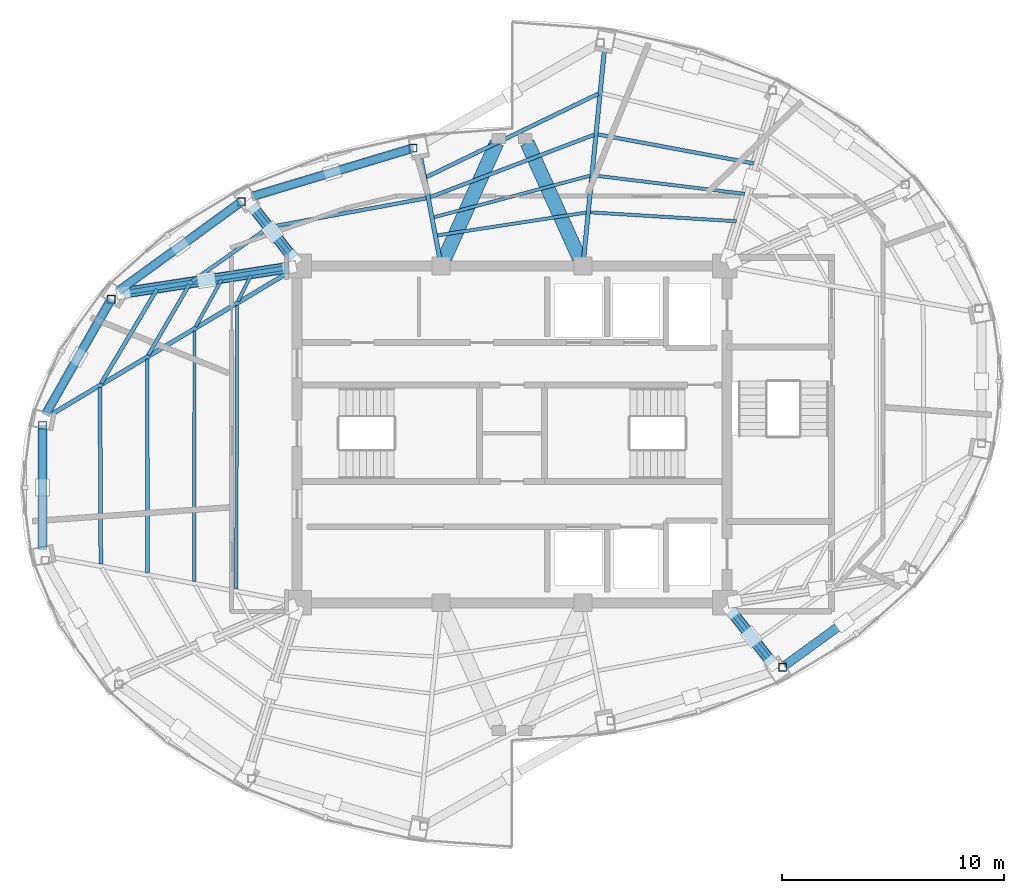
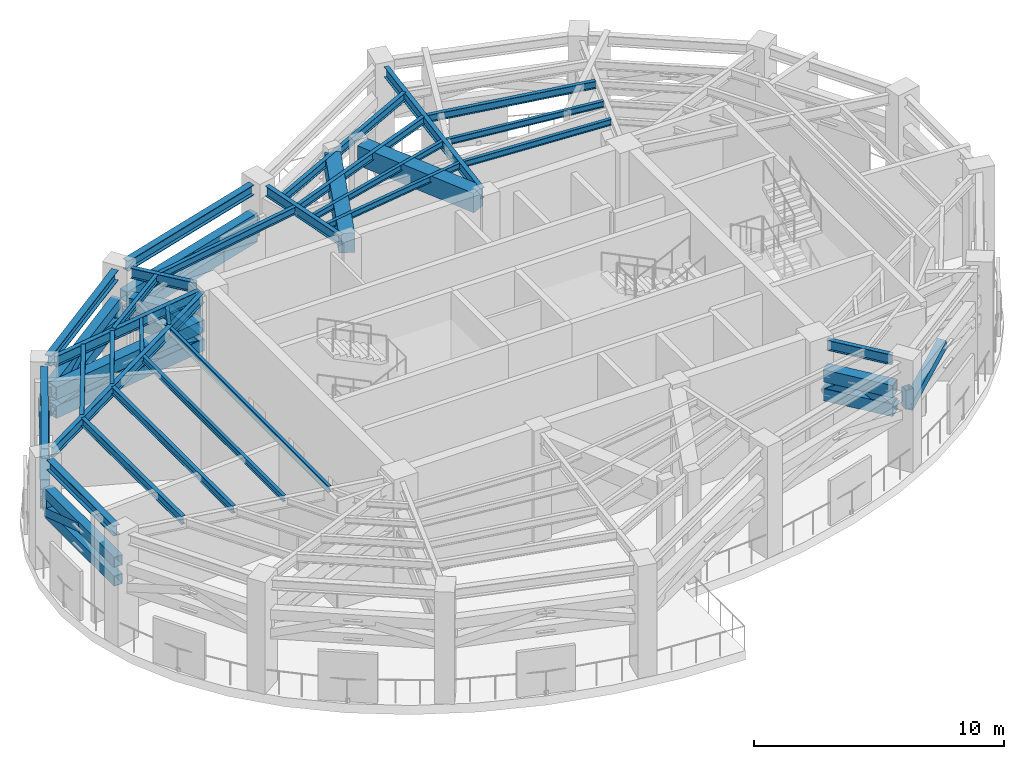
# One storey, part 3 of 12: 33 members, 29 beams.
"""IFC4 building model written with IfcOpenShell, lengths in metres."""

from ifc_helpers import new_model, si_unit, direction, frame, origin, origin_2d, place, context, subcontext, project, spatial, rectangle, hollow_rectangle, i_section, extrude, material, material_profile, profile_set, type_object, element, save


model = new_model("IFC4")

# Units and contexts
model_context = context("Model", 3, precision=1e-05, world=origin(), true_north=direction((0.0, 1.0)))
body_context = subcontext(model_context, "Body", "Model", "MODEL_VIEW")
ifc_project = project(units=[si_unit("LENGTHUNIT", "METRE"), si_unit("AREAUNIT", "SQUARE_METRE"), si_unit("VOLUMEUNIT", "CUBIC_METRE"), si_unit("PLANEANGLEUNIT", "RADIAN"), si_unit("MASSUNIT", "GRAM", prefix="KILO")], contexts=[model_context])

# Site, building, storey
site_placement = place(None, origin())
site = spatial("IfcSite", under=ifc_project, at=site_placement, CompositionType="ELEMENT")
building_placement = place(site_placement, origin())
building = spatial("IfcBuilding", under=site, at=building_placement, Name="Lazwardi Medical Tower", CompositionType="ELEMENT")
storey_placement = place(building_placement, frame((0.0, 0.0, 245.904052734375)))
storey = spatial("IfcBuildingStorey", under=building, at=storey_placement, Name="L64", CompositionType="ELEMENT", Elevation=245.904052734375)

# Beams
ifc_material_1 = material(Name="Concrete C60/75", Category="concrete")
ifc_material_profile_1 = material_profile(ifc_material_1, rectangle(XDim=0.64990234375, YDim=0.949951171875, at=origin_2d()), Name="RC 650x950")
ifc_profile_set_1 = profile_set([ifc_material_profile_1], Name="Concrete C60/75")
beam_type_1 = type_object("IfcBeamType", Name="BM-CB-RC2", PredefinedType="LINTEL", material=ifc_profile_set_1)
for number, where, z_axis, x_axis, name in (
    (1, (32.95849609375, 35.95068359375, 4.796875), (0.412019279944, 0.911175127489, 0.0), (-0.911175127489, 0.412019279944, 0.0), "Core coupling lintel CB-02 PL1 L64"),
    (2, (39.04150390625, 35.95068359375, 4.796875), (-0.412019279944, 0.911175127489, 0.0), (-0.911175127489, -0.412019279944, 0.0), "Core coupling lintel CB-02 PL2 L64"),
):
    element("IfcBeam", number, at=place(storey_placement, frame(where, z_axis=z_axis, x_axis=x_axis)), inside=storey, type_object=beam_type_1, Name=name, PredefinedType="LINTEL", context=body_context, shape_type="SweptSolid", body=[
        extrude(rectangle(XDim=0.64990234375, YDim=0.949951171875, at=origin_2d()), origin(), (0.0, 0.0, 1.0), 5.7158203125),
    ])
ifc_material_2 = material(Name="Steel S355", Category="steel")
ifc_material_profile_2 = material_profile(ifc_material_2, i_section(OverallWidth=0.300048828125, OverallDepth=0.5, WebThickness=0.014404296875, FlangeThickness=0.028076171875, at=origin_2d()), Name="HEB 500")
ifc_profile_set_2 = profile_set([ifc_material_profile_2], Name="Steel S355")
beam_type_2 = type_object("IfcBeamType", Name="BM-RB-Z4", PredefinedType="BEAM", material=ifc_profile_set_2)
beam_1_placement = place(storey_placement, frame((31.41259765625, 40.885986328125, 5.02197265625), z_axis=(-0.957544311906, -0.288286126506, 0.0), x_axis=(0.288286126506, -0.957544311906, 0.0)))
element("IfcBeam", 3, at=beam_1_placement, inside=storey, type_object=beam_type_2, Name="Ring beam RB-05 B09 L64", PredefinedType="BEAM", context=body_context, shape_type="SweptSolid", body=[
    extrude(i_section(OverallWidth=0.300048828125, OverallDepth=0.5, WebThickness=0.014404296875, FlangeThickness=0.028076171875, at=origin_2d()), origin(), (0.0, 0.0, 1.0), 7.3515625),
])
beam_2_placement = place(storey_placement, frame((23.68408203125, 38.4248046875, 5.02197265625), z_axis=(-0.808889916254, -0.587960120571, 0.0), x_axis=(0.587960120571, -0.808889916254, 0.0)))
element("IfcBeam", 4, at=beam_2_placement, inside=storey, type_object=beam_type_2, Name="Ring beam RB-05 B10 L64", PredefinedType="BEAM", context=body_context, shape_type="SweptSolid", body=[
    extrude(i_section(OverallWidth=0.300048828125, OverallDepth=0.5, WebThickness=0.014404296875, FlangeThickness=0.028076171875, at=origin_2d()), origin(), (0.0, 0.0, 1.0), 6.587158203125),
])
beam_3_placement = place(storey_placement, frame((17.84716796875, 33.983642578125, 5.02197265625), z_axis=(-0.495125273299, -0.868821594886, 0.0), x_axis=(0.868821594886, -0.495125273299, 0.0)))
element("IfcBeam", 5, at=beam_3_placement, inside=storey, type_object=beam_type_2, Name="Ring beam RB-05 B11 L64", PredefinedType="BEAM", context=body_context, shape_type="SweptSolid", body=[
    extrude(i_section(OverallWidth=0.300048828125, OverallDepth=0.5, WebThickness=0.014404296875, FlangeThickness=0.028076171875, at=origin_2d()), origin(), (0.0, 0.0, 1.0), 5.734130859375),
])
beam_4_placement = place(storey_placement, frame((14.81494140625, 28.27294921875, 5.02197265625), z_axis=(0.0, -1.0, 0.0), x_axis=(1.0, 0.0, 0.0)))
element("IfcBeam", 6, at=beam_4_placement, inside=storey, type_object=beam_type_2, Name="Ring beam RB-05 B12 L64", PredefinedType="BEAM", context=body_context, shape_type="SweptSolid", body=[
    extrude(i_section(OverallWidth=0.300048828125, OverallDepth=0.5, WebThickness=0.014404296875, FlangeThickness=0.028076171875, at=origin_2d()), origin(), (0.0, 0.0, 1.0), 5.345947265625),
])
ifc_material_profile_3 = material_profile(ifc_material_2, i_section(OverallWidth=0.199951171875, OverallDepth=0.5, WebThickness=0.01025390625, FlangeThickness=0.01611328125, at=origin_2d()), Name="IPE 500")
ifc_profile_set_3 = profile_set([ifc_material_profile_3], Name="Steel S355")
beam_type_3 = type_object("IfcBeamType", Name="BM-RG-W3", PredefinedType="BEAM", material=ifc_profile_set_3)
beam_5_placement = place(storey_placement, frame((47.669677734375, 17.7666015625, 5.02197265625), z_axis=(-0.617890508382, 0.786264153864, 0.0), x_axis=(-0.786264153864, -0.617890508382, 0.0)))
element("IfcBeam", 7, at=beam_5_placement, inside=storey, type_object=beam_type_3, Name="Radial girder RG-04 R02 L64", PredefinedType="BEAM", context=body_context, shape_type="SweptSolid", body=[
    extrude(i_section(OverallWidth=0.199951171875, OverallDepth=0.5, WebThickness=0.01025390625, FlangeThickness=0.01611328125, at=origin_2d()), origin(), (0.0, 0.0, 1.0), 2.814453125),
])
beam_6_placement = place(storey_placement, frame((40.1611328125, 45.265869140625, 5.02197265625), z_axis=(-0.098954361922, -0.995091972763, 0.0), x_axis=(0.995091972763, -0.098954361922, 0.0)))
element("IfcBeam", 8, at=beam_6_placement, inside=storey, type_object=beam_type_3, Name="Radial girder RG-04 R08 L64", PredefinedType="BEAM", context=body_context, shape_type="SweptSolid", body=[
    extrude(i_section(OverallWidth=0.199951171875, OverallDepth=0.5, WebThickness=0.01025390625, FlangeThickness=0.01611328125, at=origin_2d()), origin(), (0.0, 0.0, 1.0), 9.32861328125),
])
beam_7_placement = place(storey_placement, frame((31.884765625, 40.472412109375, 5.02197265625), z_axis=(0.184633463507, -0.982807450192, 0.0), x_axis=(0.982807450192, 0.184633463507, 0.0)))
element("IfcBeam", 9, at=beam_7_placement, inside=storey, type_object=beam_type_3, Name="Radial girder RG-04 R09 L64", PredefinedType="BEAM", context=body_context, shape_type="SweptSolid", body=[
    extrude(i_section(OverallWidth=0.199951171875, OverallDepth=0.5, WebThickness=0.01025390625, FlangeThickness=0.01611328125, at=origin_2d()), origin(), (0.0, 0.0, 1.0), 4.572509765625),
])
beam_8_placement = place(storey_placement, frame((24.330322265625, 38.2333984375, 5.02197265625), z_axis=(0.617890508382, -0.786264153864, 0.0), x_axis=(0.786264153864, 0.617890508382, 0.0)))
element("IfcBeam", 10, at=beam_8_placement, inside=storey, type_object=beam_type_3, Name="Radial girder RG-04 R10 L64", PredefinedType="BEAM", context=body_context, shape_type="SweptSolid", body=[
    extrude(i_section(OverallWidth=0.199951171875, OverallDepth=0.5, WebThickness=0.01025390625, FlangeThickness=0.01611328125, at=origin_2d()), origin(), (0.0, 0.0, 1.0), 2.814453125),
])
beam_9_placement = place(storey_placement, frame((18.569091796875, 34.4033203125, 5.02197265625), z_axis=(0.988522137285, 0.151076087115, 0.0), x_axis=(-0.151076087115, 0.988522137285, 0.0)))
element("IfcBeam", 11, at=beam_9_placement, inside=storey, type_object=beam_type_3, Name="Radial girder RG-04 R11 L64", PredefinedType="BEAM", context=body_context, shape_type="SweptSolid", body=[
    extrude(i_section(OverallWidth=0.199951171875, OverallDepth=0.5, WebThickness=0.01025390625, FlangeThickness=0.01611328125, at=origin_2d()), origin(), (0.0, 0.0, 1.0), 7.38671875),
])
beam_10_placement = place(storey_placement, frame((15.27392578125, 28.937744140625, 5.02197265625), z_axis=(0.857944804603, 0.513741873176, 0.0), x_axis=(-0.513741873176, 0.857944804603, 0.0)))
element("IfcBeam", 12, at=beam_10_placement, inside=storey, type_object=beam_type_3, Name="Radial girder RG-04 R12 L64", PredefinedType="BEAM", context=body_context, shape_type="SweptSolid", body=[
    extrude(i_section(OverallWidth=0.199951171875, OverallDepth=0.5, WebThickness=0.01025390625, FlangeThickness=0.01611328125, at=origin_2d()), origin(), (0.0, 0.0, 1.0), 12.43310546875),
])
ifc_material_profile_4 = material_profile(ifc_material_2, i_section(OverallWidth=0.179931640625, OverallDepth=0.39990234375, WebThickness=0.008544921875, FlangeThickness=0.013427734375, at=origin_2d()), Name="IPE 400")
ifc_profile_set_4 = profile_set([ifc_material_profile_4], Name="Steel S355")
beam_type_4 = type_object("IfcBeamType", Name="BM-SJ-01", PredefinedType="JOIST", material=ifc_profile_set_4)
beam_11_placement = place(storey_placement, frame((39.89111328125, 43.367919921875, 5.072021484375), z_axis=(-0.900068885459, -0.435747635024, 0.0), x_axis=(0.435747635024, -0.900068885459, 0.0)))
element("IfcBeam", 13, at=beam_11_placement, inside=storey, type_object=beam_type_4, Name="Secondary joist SJ-01 R1 B08 L64", PredefinedType="JOIST", context=body_context, shape_type="SweptSolid", body=[
    extrude(i_section(OverallWidth=0.179931640625, OverallDepth=0.39990234375, WebThickness=0.008544921875, FlangeThickness=0.013427734375, at=origin_2d()), origin(), (0.0, 0.0, 1.0), 8.612548828125),
])
beam_12_placement = place(storey_placement, frame((19.98095703125, 34.544921875, 5.072021484375), z_axis=(-0.510967866251, -0.859599813668, 0.0), x_axis=(0.859599813668, -0.510967866251, 0.0)))
element("IfcBeam", 14, at=beam_12_placement, inside=storey, type_object=beam_type_4, Name="Secondary joist SJ-01 R1 B11 L64", PredefinedType="JOIST", context=body_context, shape_type="SweptSolid", body=[
    extrude(i_section(OverallWidth=0.179931640625, OverallDepth=0.39990234375, WebThickness=0.008544921875, FlangeThickness=0.013427734375, at=origin_2d()), origin(), (0.0, 0.0, 1.0), 4.94189453125),
])
beam_13_placement = place(storey_placement, frame((17.407958984375, 30.120361328125, 5.072021484375), z_axis=(0.004929366644, -0.999987850598, 0.0), x_axis=(0.999987850598, 0.004929366644, 0.0)))
element("IfcBeam", 15, at=beam_13_placement, inside=storey, type_object=beam_type_4, Name="Secondary joist SJ-01 R1 B12 L64", PredefinedType="JOIST", context=body_context, shape_type="SweptSolid", body=[
    extrude(i_section(OverallWidth=0.179931640625, OverallDepth=0.39990234375, WebThickness=0.008544921875, FlangeThickness=0.013427734375, at=origin_2d()), origin(), (0.0, 0.0, 1.0), 7.973876953125),
])
ifc_material_profile_5 = material_profile(ifc_material_2, i_section(OverallWidth=0.169921875, OverallDepth=0.360107421875, WebThickness=0.008056640625, FlangeThickness=0.0126953125, at=origin_2d()), Name="IPE 360")
ifc_profile_set_5 = profile_set([ifc_material_profile_5], Name="Steel S355")
beam_type_5 = type_object("IfcBeamType", Name="BM-SJ-02", PredefinedType="JOIST", material=ifc_profile_set_5)
beam_14_placement = place(storey_placement, frame((46.91552734375, 40.2275390625, 5.092041015625), z_axis=(-0.983132476587, 0.182894870019, 0.0), x_axis=(-0.182894870019, -0.983132476587, 0.0)))
element("IfcBeam", 16, at=beam_14_placement, inside=storey, type_object=beam_type_5, Name="Secondary joist SJ-02 R2 B07 L64", PredefinedType="JOIST", context=body_context, shape_type="SweptSolid", body=[
    extrude(i_section(OverallWidth=0.169921875, OverallDepth=0.360107421875, WebThickness=0.008056640625, FlangeThickness=0.0126953125, at=origin_2d()), origin(), (0.0, 0.0, 1.0), 7.15087890625),
])
beam_15_placement = place(storey_placement, frame((39.703125, 41.51904296875, 5.092041015625), z_axis=(-0.934714470268, -0.355399576633, 0.0), x_axis=(0.355399576633, -0.934714470268, 0.0)))
element("IfcBeam", 17, at=beam_15_placement, inside=storey, type_object=beam_type_5, Name="Secondary joist SJ-02 R2 B08 L64", PredefinedType="JOIST", context=body_context, shape_type="SweptSolid", body=[
    extrude(i_section(OverallWidth=0.169921875, OverallDepth=0.360107421875, WebThickness=0.008056640625, FlangeThickness=0.0126953125, at=origin_2d()), origin(), (0.0, 0.0, 1.0), 7.908203125),
])
beam_16_placement = place(storey_placement, frame((32.12890625, 38.65771484375, 5.092041015625), z_axis=(-0.983427965623, -0.181299300688, 0.0), x_axis=(0.181299300688, -0.983427965623, 0.0)))
element("IfcBeam", 18, at=beam_16_placement, inside=storey, type_object=beam_type_5, Name="Secondary joist SJ-02 R2 B09 L64", PredefinedType="JOIST", context=body_context, shape_type="SweptSolid", body=[
    extrude(i_section(OverallWidth=0.169921875, OverallDepth=0.360107421875, WebThickness=0.008056640625, FlangeThickness=0.0126953125, at=origin_2d()), origin(), (0.0, 0.0, 1.0), 7.127685546875),
])
beam_17_placement = place(storey_placement, frame((24.948486328125, 37.29345703125, 5.092041015625), z_axis=(-0.816711190406, -0.577046645832, 0.0), x_axis=(0.577046645832, -0.816711190406, 0.0)))
element("IfcBeam", 19, at=beam_17_placement, inside=storey, type_object=beam_type_5, Name="Secondary joist SJ-02 R2 B10 L64", PredefinedType="JOIST", context=body_context, shape_type="SweptSolid", body=[
    extrude(i_section(OverallWidth=0.169921875, OverallDepth=0.360107421875, WebThickness=0.008056640625, FlangeThickness=0.0126953125, at=origin_2d()), origin(), (0.0, 0.0, 1.0), 4.139892578125),
])
beam_18_placement = place(storey_placement, frame((21.4423828125, 34.767578125, 5.092041015625), z_axis=(-0.50218018565, -0.864763008657, 0.0), x_axis=(0.864763008657, -0.50218018565, 0.0)))
element("IfcBeam", 20, at=beam_18_placement, inside=storey, type_object=beam_type_5, Name="Secondary joist SJ-02 R2 B11 L64", PredefinedType="JOIST", context=body_context, shape_type="SweptSolid", body=[
    extrude(i_section(OverallWidth=0.169921875, OverallDepth=0.360107421875, WebThickness=0.008056640625, FlangeThickness=0.0126953125, at=origin_2d()), origin(), (0.0, 0.0, 1.0), 3.69189453125),
])
beam_19_placement = place(storey_placement, frame((19.541015625, 31.397705078125, 5.092041015625), z_axis=(0.001367606673, -0.999999064826, 0.0), x_axis=(0.999999064826, 0.001367606673, 0.0)))
element("IfcBeam", 21, at=beam_19_placement, inside=storey, type_object=beam_type_5, Name="Secondary joist SJ-02 R2 B12 L64", PredefinedType="JOIST", context=body_context, shape_type="SweptSolid", body=[
    extrude(i_section(OverallWidth=0.169921875, OverallDepth=0.360107421875, WebThickness=0.008056640625, FlangeThickness=0.0126953125, at=origin_2d()), origin(), (0.0, 0.0, 1.0), 9.639892578125),
])
ifc_material_profile_6 = material_profile(ifc_material_2, i_section(OverallWidth=0.14990234375, OverallDepth=0.300048828125, WebThickness=0.007080078125, FlangeThickness=0.0107421875, at=origin_2d()), Name="IPE 300")
ifc_profile_set_6 = profile_set([ifc_material_profile_6], Name="Steel S355")
beam_type_6 = type_object("IfcBeamType", Name="BM-SJ-03", PredefinedType="JOIST", material=ifc_profile_set_6)
beam_20_placement = place(storey_placement, frame((46.4970703125, 38.85546875, 5.121826171875), z_axis=(-0.992634689535, 0.121146081783, 0.0), x_axis=(-0.121146081783, -0.992634689535, 0.0)))
element("IfcBeam", 22, at=beam_20_placement, inside=storey, type_object=beam_type_6, Name="Secondary joist SJ-03 R3 B07 L64", PredefinedType="JOIST", context=body_context, shape_type="SweptSolid", body=[
    extrude(i_section(OverallWidth=0.14990234375, OverallDepth=0.300048828125, WebThickness=0.007080078125, FlangeThickness=0.0107421875, at=origin_2d()), origin(), (0.0, 0.0, 1.0), 6.845947265625),
])
beam_21_placement = place(storey_placement, frame((39.515380859375, 39.671875, 5.121826171875), z_axis=(-0.966369007826, -0.257159368316, 0.0), x_axis=(0.257159368316, -0.966369007826, 0.0)))
element("IfcBeam", 23, at=beam_21_placement, inside=storey, type_object=beam_type_6, Name="Secondary joist SJ-03 R3 B08 L64", PredefinedType="JOIST", context=body_context, shape_type="SweptSolid", body=[
    extrude(i_section(OverallWidth=0.14990234375, OverallDepth=0.300048828125, WebThickness=0.007080078125, FlangeThickness=0.0107421875, at=origin_2d()), origin(), (0.0, 0.0, 1.0), 7.27685546875),
])
beam_22_placement = place(storey_placement, frame((22.904296875, 34.98974609375, 5.121826171875), z_axis=(-0.484751625998, -0.874651851363, 0.0), x_axis=(0.874651851363, -0.484751625998, 0.0)))
element("IfcBeam", 24, at=beam_22_placement, inside=storey, type_object=beam_type_6, Name="Secondary joist SJ-03 R3 B11 L64", PredefinedType="JOIST", context=body_context, shape_type="SweptSolid", body=[
    extrude(i_section(OverallWidth=0.14990234375, OverallDepth=0.300048828125, WebThickness=0.007080078125, FlangeThickness=0.0107421875, at=origin_2d()), origin(), (0.0, 0.0, 1.0), 2.442626953125),
])
beam_23_placement = place(storey_placement, frame((21.674072265625, 32.67529296875, 5.121826171875), z_axis=(-0.001166079235, -0.999999320129, 0.0), x_axis=(0.999999320129, -0.001166079235, 0.0)))
element("IfcBeam", 25, at=beam_23_placement, inside=storey, type_object=beam_type_6, Name="Secondary joist SJ-03 R3 B12 L64", PredefinedType="JOIST", context=body_context, shape_type="SweptSolid", body=[
    extrude(i_section(OverallWidth=0.14990234375, OverallDepth=0.300048828125, WebThickness=0.007080078125, FlangeThickness=0.0107421875, at=origin_2d()), origin(), (0.0, 0.0, 1.0), 11.305908203125),
])
beam_24_placement = place(storey_placement, frame((46.120849609375, 37.6201171875, 5.121826171875), z_axis=(-0.998165515862, 0.060544223044, 0.0), x_axis=(-0.060544223044, -0.998165515862, 0.0)))
element("IfcBeam", 26, at=beam_24_placement, inside=storey, type_object=beam_type_6, Name="Secondary joist SJ-03 R4 B07 L64", PredefinedType="JOIST", context=body_context, shape_type="SweptSolid", body=[
    extrude(i_section(OverallWidth=0.14990234375, OverallDepth=0.300048828125, WebThickness=0.007080078125, FlangeThickness=0.0107421875, at=origin_2d()), origin(), (0.0, 0.0, 1.0), 6.59716796875),
])
beam_25_placement = place(storey_placement, frame((39.347412109375, 38.010986328125, 5.121826171875), z_axis=(-0.988433562862, -0.151654514629, 0.0), x_axis=(0.151654514629, -0.988433562862, 0.0)))
element("IfcBeam", 27, at=beam_25_placement, inside=storey, type_object=beam_type_6, Name="Secondary joist SJ-03 R4 B08 L64", PredefinedType="JOIST", context=body_context, shape_type="SweptSolid", body=[
    extrude(i_section(OverallWidth=0.14990234375, OverallDepth=0.300048828125, WebThickness=0.007080078125, FlangeThickness=0.0107421875, at=origin_2d()), origin(), (0.0, 0.0, 1.0), 6.788818359375),
])
beam_26_placement = place(storey_placement, frame((24.222412109375, 35.188720703125, 5.121826171875), z_axis=(-0.443587297772, -0.89623116954, 0.0), x_axis=(0.89623116954, -0.443587297772, 0.0)))
element("IfcBeam", 28, at=beam_26_placement, inside=storey, type_object=beam_type_6, Name="Secondary joist SJ-03 R4 B11 L64", PredefinedType="JOIST", context=body_context, shape_type="SweptSolid", body=[
    extrude(i_section(OverallWidth=0.14990234375, OverallDepth=0.300048828125, WebThickness=0.007080078125, FlangeThickness=0.0107421875, at=origin_2d()), origin(), (0.0, 0.0, 1.0), 1.32080078125),
])
beam_27_placement = place(storey_placement, frame((23.593994140625, 33.824951171875, 5.121826171875), z_axis=(-0.002897930673, -0.99999580099, 0.0), x_axis=(0.99999580099, -0.002897930673, 0.0)))
element("IfcBeam", 29, at=beam_27_placement, inside=storey, type_object=beam_type_6, Name="Secondary joist SJ-03 R4 B12 L64", PredefinedType="JOIST", context=body_context, shape_type="SweptSolid", body=[
    extrude(i_section(OverallWidth=0.14990234375, OverallDepth=0.300048828125, WebThickness=0.007080078125, FlangeThickness=0.0107421875, at=origin_2d()), origin(), (0.0, 0.0, 1.0), 12.805419921875),
])

# Members
ifc_material_3 = material(Name="Steel S460", Category="steel")
ifc_material_profile_7 = material_profile(ifc_material_3, hollow_rectangle(XDim=0.39990234375, YDim=0.5, WallThickness=0.02490234375, at=origin_2d()), Name="RHS 500x400x25")
ifc_profile_set_7 = profile_set([ifc_material_profile_7], Name="Steel S460")
member_type_1 = type_object("IfcMemberType", Name="MEM-BC-01", PredefinedType="CHORD", material=ifc_profile_set_7)
for number, where, z_axis, x_axis, name in (
    (30, (31.537109375, 40.92333984375, 2.679931640625), (-0.957542439022, -0.288292347232, 0.0), (0.288292347232, -0.957542439022, 0.0), "Belt truss bottom chord BC-01 B09 L64"),
    (31, (31.537109375, 40.92333984375, 3.599853515625), (-0.957542439022, -0.288292347232, 0.0), (0.288292347232, -0.957542439022, 0.0), "Belt truss top chord BC-01 B09 L64"),
):
    element("IfcMember", number, at=place(storey_placement, frame(where, z_axis=z_axis, x_axis=x_axis)), inside=storey, type_object=member_type_1, Name=name, PredefinedType="CHORD", context=body_context, shape_type="SweptSolid", body=[
        extrude(hollow_rectangle(XDim=0.39990234375, YDim=0.5, WallThickness=0.02490234375, at=origin_2d()), origin(), (0.0, 0.0, 1.0), 7.611572265625),
    ])
for number, where, z_axis, x_axis, name in (
    (32, (23.789306640625, 38.501220703125, 2.679931640625), (-0.808899486782, -0.587946953631, 0.0), (0.587946953631, -0.808899486782, 0.0), "Belt truss bottom chord BC-01 B10 L64"),
    (33, (23.789306640625, 38.501220703125, 3.599853515625), (-0.808899486782, -0.587946953631, 0.0), (0.587946953631, -0.808899486782, 0.0), "Belt truss top chord BC-01 B10 L64"),
):
    element("IfcMember", number, at=place(storey_placement, frame(where, z_axis=z_axis, x_axis=x_axis)), inside=storey, type_object=member_type_1, Name=name, PredefinedType="CHORD", context=body_context, shape_type="SweptSolid", body=[
        extrude(hollow_rectangle(XDim=0.39990234375, YDim=0.5, WallThickness=0.02490234375, at=origin_2d()), origin(), (0.0, 0.0, 1.0), 6.847412109375),
    ])
for number, where, z_axis, x_axis, name in (
    (34, (17.91162109375, 34.0966796875, 2.679931640625), (-0.495151704402, -0.868806531759, 0.0), (0.868806531759, -0.495151704402, 0.0), "Belt truss bottom chord BC-01 B11 L64"),
    (35, (17.91162109375, 34.0966796875, 3.599853515625), (-0.495151704402, -0.868806531759, 0.0), (0.868806531759, -0.495151704402, 0.0), "Belt truss top chord BC-01 B11 L64"),
):
    element("IfcMember", number, at=place(storey_placement, frame(where, z_axis=z_axis, x_axis=x_axis)), inside=storey, type_object=member_type_1, Name=name, PredefinedType="CHORD", context=body_context, shape_type="SweptSolid", body=[
        extrude(hollow_rectangle(XDim=0.39990234375, YDim=0.5, WallThickness=0.02490234375, at=origin_2d()), origin(), (0.0, 0.0, 1.0), 5.994140625),
    ])
for number, where, z_axis, x_axis, name in (
    (36, (14.81494140625, 28.40283203125, 2.679931640625), (0.0, -1.0, 0.0), (1.0, 0.0, 0.0), "Belt truss bottom chord BC-01 B12 L64"),
    (37, (14.81494140625, 28.40283203125, 3.599853515625), (0.0, -1.0, 0.0), (1.0, 0.0, 0.0), "Belt truss top chord BC-01 B12 L64"),
):
    element("IfcMember", number, at=place(storey_placement, frame(where, z_axis=z_axis, x_axis=x_axis)), inside=storey, type_object=member_type_1, Name=name, PredefinedType="CHORD", context=body_context, shape_type="SweptSolid", body=[
        extrude(hollow_rectangle(XDim=0.39990234375, YDim=0.5, WallThickness=0.02490234375, at=origin_2d()), origin(), (0.0, 0.0, 1.0), 5.605712890625),
    ])
ifc_material_profile_8 = material_profile(ifc_material_3, hollow_rectangle(XDim=0.39990234375, YDim=0.39990234375, WallThickness=0.02001953125, at=origin_2d()), Name="RHS 400x400x20")
ifc_profile_set_8 = profile_set([ifc_material_profile_8], Name="Steel S460")
member_type_2 = type_object("IfcMemberType", Name="MEM-BD-01", PredefinedType="BRACE", material=ifc_profile_set_8)
member_1_placement = place(storey_placement, frame((48.210693359375, 17.498779296875, 2.679931640625), z_axis=(0.781177786987, 0.567822520824, 0.259497302421), x_axis=(-0.587963911037, 0.808887161054, 0.0)))
element("IfcMember", 38, at=member_1_placement, inside=storey, type_object=member_type_2, Name="Belt truss diagonal BD-01 B02A L64", PredefinedType="BRACE", context=body_context, shape_type="SweptSolid", body=[
    extrude(hollow_rectangle(XDim=0.39990234375, YDim=0.39990234375, WallThickness=0.02001953125, at=origin_2d()), origin(), (0.0, 0.0, 1.0), 3.544921875),
])
member_2_placement = place(storey_placement, frame((31.537109375, 40.92333984375, 2.679931640625), z_axis=(-0.930741958808, -0.280213998987, 0.234945782863), x_axis=(0.28828349305, -0.957545104752, 0.0)))
element("IfcMember", 39, at=member_2_placement, inside=storey, type_object=member_type_2, Name="Belt truss diagonal BD-01 B09A L64", PredefinedType="BRACE", context=body_context, shape_type="SweptSolid", body=[
    extrude(hollow_rectangle(XDim=0.39990234375, YDim=0.39990234375, WallThickness=0.02001953125, at=origin_2d()), origin(), (0.0, 0.0, 1.0), 3.91552734375),
])
member_3_placement = place(storey_placement, frame((24.248779296875, 38.72900390625, 2.679931640625), z_axis=(0.930733620288, 0.28023026193, 0.234959418548), x_axis=(-0.288301201934, 0.957539773045, 0.0)))
element("IfcMember", 40, at=member_3_placement, inside=storey, type_object=member_type_2, Name="Belt truss diagonal BD-01 B09B L64", PredefinedType="BRACE", context=body_context, shape_type="SweptSolid", body=[
    extrude(hollow_rectangle(XDim=0.39990234375, YDim=0.39990234375, WallThickness=0.02001953125, at=origin_2d()), origin(), (0.0, 0.0, 1.0), 3.915283203125),
])
member_4_placement = place(storey_placement, frame((23.789306640625, 38.501220703125, 2.679931640625), z_axis=(-0.781177786987, -0.567822520824, 0.259497302421), x_axis=(0.587963911037, -0.808887161054, 0.0)))
element("IfcMember", 41, at=member_4_placement, inside=storey, type_object=member_type_2, Name="Belt truss diagonal BD-01 B10A L64", PredefinedType="BRACE", context=body_context, shape_type="SweptSolid", body=[
    extrude(hollow_rectangle(XDim=0.39990234375, YDim=0.39990234375, WallThickness=0.02001953125, at=origin_2d()), origin(), (0.0, 0.0, 1.0), 3.544921875),
])
member_5_placement = place(storey_placement, frame((18.25048828125, 34.475341796875, 2.679931640625), z_axis=(0.781204627176, 0.567791973825, 0.259483342313), x_axis=(-0.587929996945, 0.808911811443, 0.0)))
element("IfcMember", 42, at=member_5_placement, inside=storey, type_object=member_type_2, Name="Belt truss diagonal BD-01 B10B L64", PredefinedType="BRACE", context=body_context, shape_type="SweptSolid", body=[
    extrude(hollow_rectangle(XDim=0.39990234375, YDim=0.39990234375, WallThickness=0.02001953125, at=origin_2d()), origin(), (0.0, 0.0, 1.0), 3.545166015625),
])
member_6_placement = place(storey_placement, frame((17.91162109375, 34.0966796875, 2.679931640625), z_axis=(-0.473370561618, -0.830559369998, 0.293413435791), x_axis=(0.868798996427, -0.495164925865, 0.0)))
element("IfcMember", 43, at=member_6_placement, inside=storey, type_object=member_type_2, Name="Belt truss diagonal BD-01 B11A L64", PredefinedType="BRACE", context=body_context, shape_type="SweptSolid", body=[
    extrude(hollow_rectangle(XDim=0.39990234375, YDim=0.39990234375, WallThickness=0.02001953125, at=origin_2d()), origin(), (0.0, 0.0, 1.0), 3.13525390625),
])
member_7_placement = place(storey_placement, frame((14.943603515625, 28.888916015625, 2.679931640625), z_axis=(0.473340752872, 0.830565832409, 0.293443230803), x_axis=(-0.868814067728, 0.495138481355, 0.0)))
element("IfcMember", 44, at=member_7_placement, inside=storey, type_object=member_type_2, Name="Belt truss diagonal BD-01 B11B L64", PredefinedType="BRACE", context=body_context, shape_type="SweptSolid", body=[
    extrude(hollow_rectangle(XDim=0.39990234375, YDim=0.39990234375, WallThickness=0.02001953125, at=origin_2d()), origin(), (0.0, 0.0, 1.0), 3.135009765625),
])
member_8_placement = place(storey_placement, frame((14.81494140625, 28.40283203125, 2.679931640625), z_axis=(0.0, -0.950129878455, 0.311854475786), x_axis=(1.0, 0.0, 0.0)))
element("IfcMember", 45, at=member_8_placement, inside=storey, type_object=member_type_2, Name="Belt truss diagonal BD-01 B12A L64", PredefinedType="BRACE", context=body_context, shape_type="SweptSolid", body=[
    extrude(hollow_rectangle(XDim=0.39990234375, YDim=0.39990234375, WallThickness=0.02001953125, at=origin_2d()), origin(), (0.0, 0.0, 1.0), 2.949951171875),
])
ifc_material_profile_9 = material_profile(ifc_material_2, hollow_rectangle(XDim=0.35009765625, YDim=0.35009765625, WallThickness=0.01611328125, at=origin_2d()), Name="RHS 350x350x16")
ifc_profile_set_9 = profile_set([ifc_material_profile_9], Name="Steel S355")
member_type_3 = type_object("IfcMemberType", Name="MEM-BV-01", PredefinedType="POST", material=ifc_profile_set_9)
for number, where, z_axis, x_axis, name in (
    (46, (48.210693359375, 17.498779296875, 2.679931640625), (0.0, 0.0, 1.0), (1.0, 0.0, 0.0), "Belt truss post BV-01 B02 L64"),
    (47, (31.537109375, 40.92333984375, 2.679931640625), (0.0, 0.0, 1.0), (1.0, 0.0, 0.0), "Belt truss post BV-01 B09 L64"),
    (48, (23.789306640625, 38.501220703125, 2.679931640625), (0.0, 0.0, 1.0), (1.0, 0.0, 0.0), "Belt truss post BV-01 B10 L64"),
    (49, (17.91162109375, 34.0966796875, 2.679931640625), (0.0, 0.0, 1.0), (1.0, 0.0, 0.0), "Belt truss post BV-01 B11 L64"),
    (50, (14.81494140625, 28.40283203125, 2.679931640625), (0.0, 0.0, 1.0), (1.0, 0.0, 0.0), "Belt truss post BV-01 B12 L64"),
):
    element("IfcMember", number, at=place(storey_placement, frame(where, z_axis=z_axis, x_axis=x_axis)), inside=storey, type_object=member_type_3, Name=name, PredefinedType="POST", context=body_context, shape_type="SweptSolid", body=[
        extrude(hollow_rectangle(XDim=0.35009765625, YDim=0.35009765625, WallThickness=0.01611328125, at=origin_2d()), origin(), (0.0, 0.0, 1.0), 0.919921875),
    ])
ifc_material_profile_10 = material_profile(ifc_material_3, hollow_rectangle(XDim=0.5, YDim=0.60009765625, WallThickness=0.030029296875, at=origin_2d()), Name="RHS 600x500x30")
ifc_profile_set_10 = profile_set([ifc_material_profile_10], Name="Steel S460")
member_type_4 = type_object("IfcMemberType", Name="MEM-OC-01", PredefinedType="CHORD", material=ifc_profile_set_10)
for number, where, z_axis, x_axis, name in (
    (51, (45.878173828125, 20.046142578125, 2.679931640625), (0.617932803328, -0.786230914281, 0.0), (0.786230914281, 0.617932803328, 0.0), "Outrigger truss bottom chord OC-01 OR3 L64"),
    (52, (45.878173828125, 20.046142578125, 3.599853515625), (0.617932803328, -0.786230914281, 0.0), (0.786230914281, 0.617932803328, 0.0), "Outrigger truss top chord OC-01 OR3 L64"),
    (53, (26.121826171875, 35.953857421875, 2.679931640625), (-0.617932803328, 0.786230914281, 0.0), (-0.786230914281, -0.617932803328, 0.0), "Outrigger truss bottom chord OC-01 OR7 L64"),
    (54, (26.121826171875, 35.953857421875, 3.599853515625), (-0.617932803328, 0.786230914281, 0.0), (-0.786230914281, -0.617932803328, 0.0), "Outrigger truss top chord OC-01 OR7 L64"),
):
    element("IfcMember", number, at=place(storey_placement, frame(where, z_axis=z_axis, x_axis=x_axis)), inside=storey, type_object=member_type_4, Name=name, PredefinedType="CHORD", context=body_context, shape_type="SweptSolid", body=[
        extrude(hollow_rectangle(XDim=0.5, YDim=0.60009765625, WallThickness=0.030029296875, at=origin_2d()), origin(), (0.0, 0.0, 1.0), 3.00439453125),
    ])
for number, where, z_axis, x_axis, name in (
    (55, (25.955078125, 35.531982421875, 2.679931640625), (-0.988524670588, -0.151059510259, 0.0), (0.151059510259, -0.988524670588, 0.0), "Outrigger truss bottom chord OC-01 OR8 L64"),
    (56, (25.955078125, 35.531982421875, 3.599853515625), (-0.988524670588, -0.151059510259, 0.0), (0.151059510259, -0.988524670588, 0.0), "Outrigger truss top chord OC-01 OR8 L64"),
):
    element("IfcMember", number, at=place(storey_placement, frame(where, z_axis=z_axis, x_axis=x_axis)), inside=storey, type_object=member_type_4, Name=name, PredefinedType="CHORD", context=body_context, shape_type="SweptSolid", body=[
        extrude(hollow_rectangle(XDim=0.5, YDim=0.60009765625, WallThickness=0.030029296875, at=origin_2d()), origin(), (0.0, 0.0, 1.0), 7.57666015625),
    ])
ifc_material_profile_11 = material_profile(ifc_material_3, hollow_rectangle(XDim=0.449951171875, YDim=0.449951171875, WallThickness=0.02197265625, at=origin_2d()), Name="RHS 450x450x22")
ifc_profile_set_11 = profile_set([ifc_material_profile_11], Name="Steel S460")
member_type_5 = type_object("IfcMemberType", Name="MEM-OD-01", PredefinedType="BRACE", material=ifc_profile_set_11)
for number, where, z_axis, x_axis, name in (
    (57, (45.878173828125, 20.046142578125, 2.679931640625), (0.526942305462, -0.670527846877, 0.522230038659), (0.786261941298, 0.617893323856, 0.0), "Outrigger truss diagonal OD-01 OR3A L64"),
    (58, (47.734619140625, 17.68408203125, 2.679931640625), (-0.52699127731, 0.670451554011, 0.522278572568), (-0.786199881317, -0.617972286286, 0.0), "Outrigger truss diagonal OD-01 OR3B L64"),
    (59, (26.121826171875, 35.953857421875, 2.679931640625), (-0.526942305462, 0.670527846877, 0.522230038659), (-0.786261941298, -0.617893323856, 0.0), "Outrigger truss diagonal OD-01 OR7A L64"),
    (60, (24.265380859375, 38.31591796875, 2.679931640625), (0.52699127731, -0.670451554011, 0.522278572568), (0.786199881317, 0.617972286286, 0.0), "Outrigger truss diagonal OD-01 OR7B L64"),
):
    element("IfcMember", number, at=place(storey_placement, frame(where, z_axis=z_axis, x_axis=x_axis)), inside=storey, type_object=member_type_5, Name=name, PredefinedType="BRACE", context=body_context, shape_type="SweptSolid", body=[
        extrude(hollow_rectangle(XDim=0.449951171875, YDim=0.449951171875, WallThickness=0.02197265625, at=origin_2d()), origin(), (0.0, 0.0, 1.0), 1.761474609375),
    ])
for number, where, z_axis, x_axis, name in (
    (61, (25.955078125, 35.531982421875, 2.679931640625), (-0.960608610063, -0.146793570767, 0.235971917512), (0.151059510259, -0.988524670588, 0.0), "Outrigger truss diagonal OD-01 OR8A L64"),
    (62, (18.46533203125, 34.387451171875, 2.679931640625), (0.960608610063, 0.146793570767, 0.235971917512), (-0.151059510259, 0.988524670588, 0.0), "Outrigger truss diagonal OD-01 OR8B L64"),
):
    element("IfcMember", number, at=place(storey_placement, frame(where, z_axis=z_axis, x_axis=x_axis)), inside=storey, type_object=member_type_5, Name=name, PredefinedType="BRACE", context=body_context, shape_type="SweptSolid", body=[
        extrude(hollow_rectangle(XDim=0.449951171875, YDim=0.449951171875, WallThickness=0.02197265625, at=origin_2d()), origin(), (0.0, 0.0, 1.0), 3.8984375),
    ])

save(model, "model.ifc")
